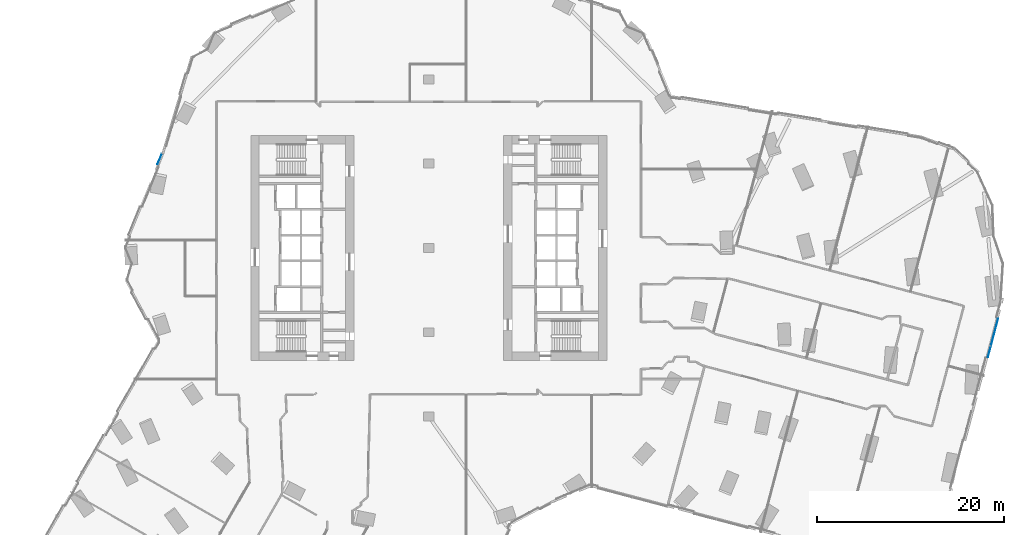
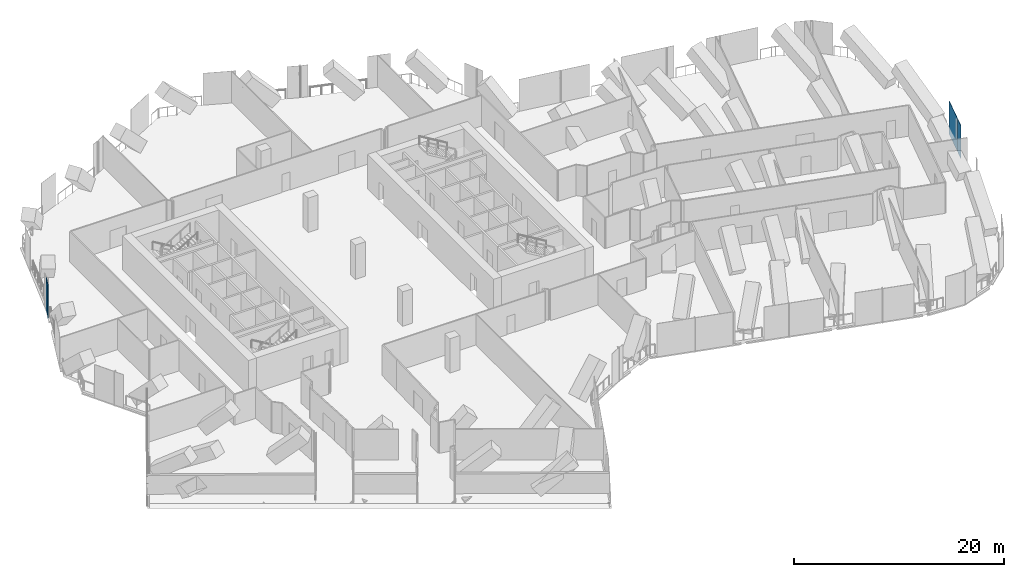
# One storey, part 23 of 37: 3 plates, 2 elements without a shape of their own.
"""IFC4 building model written with IfcOpenShell, lengths in metres."""

from ifc_helpers import new_model, si_unit, direction, frame, origin, origin_2d, place, context, subcontext, project, spatial, rectangle, extrude, material, layer, layer_set, type_object, element, aggregate, save


model = new_model("IFC4")

# Units and contexts
model_context = context("Model", 3, precision=1e-05, world=origin(), true_north=direction((0.0, 1.0)))
body_context = subcontext(model_context, "Body", "Model", "MODEL_VIEW")
ifc_project = project(units=[si_unit("LENGTHUNIT", "METRE"), si_unit("AREAUNIT", "SQUARE_METRE"), si_unit("VOLUMEUNIT", "CUBIC_METRE"), si_unit("PLANEANGLEUNIT", "RADIAN"), si_unit("MASSUNIT", "GRAM", prefix="KILO")], contexts=[model_context])

# Site, building, storey
site_placement = place(None, origin())
site = spatial("IfcSite", under=ifc_project, at=site_placement, CompositionType="ELEMENT")
building_placement = place(site_placement, origin())
building = spatial("IfcBuilding", under=site, at=building_placement, Name="Orlundy Tower", CompositionType="ELEMENT")
storey_placement = place(building_placement, frame((0.0, 0.0, 119.699951171875)))
storey = spatial("IfcBuildingStorey", under=building, at=storey_placement, Name="L30", CompositionType="ELEMENT", Elevation=119.699951171875)

# Curtain wall, plate
ifc_material_1 = material(Name="Aluminium bronze anodised", Category="aluminium")
curtain_wall_type = type_object("IfcCurtainWallType", Name="CW5 wall", PredefinedType="NOTDEFINED", material=ifc_material_1)
curtain_wall_1_placement = place(storey_placement, origin())
curtain_wall_1 = element("IfcCurtainWall", 1, at=curtain_wall_1_placement, inside=storey, type_object=curtain_wall_type, Name="CW5 run 022", PredefinedType="NOTDEFINED")
ifc_material_2 = material(Name="Tinted glass", Category="glass")
ifc_layer_1 = layer(ifc_material_2, 0.031982421875)
ifc_layer_set_1 = layer_set([ifc_layer_1], Name="CW5 glass panel 32")
plate_type_1 = type_object("IfcPlateType", Name="CW5 glass panel 32", PredefinedType="CURTAIN_PANEL", material=ifc_layer_set_1)
plate_1_placement = place(storey_placement, frame((59.8427734375, -11.076416015625, -0.259765625), z_axis=(0.0, 0.0, 1.0), x_axis=(-0.255990719194, -0.966679239296, 0.0)))
plate_1 = element("IfcPlate", 2, at=plate_1_placement, type_object=plate_type_1, Name="CW5 panel", PredefinedType="CURTAIN_PANEL", context=body_context, shape_type="SweptSolid", body=[
    extrude(rectangle(XDim=1.224365234375, YDim=0.031982421875, at=origin_2d()), origin(), (0.0, 0.0, 1.0), 3.860107421875),
])

curtain_wall_2_placement = place(storey_placement, origin())
curtain_wall_2 = element("IfcCurtainWall", 3, at=curtain_wall_2_placement, inside=storey, type_object=curtain_wall_type, Name="CW5 run 02", PredefinedType="NOTDEFINED")
ifc_material_3 = material(Name="Tinted glass", Category="glass")
ifc_layer_2 = layer(ifc_material_3, 0.031982421875)
ifc_layer_set_2 = layer_set([ifc_layer_2], Name="CW5 vent panel 32")
plate_type_2 = type_object("IfcPlateType", Name="CW5 vent panel 32", PredefinedType="CURTAIN_PANEL", material=ifc_layer_set_2)
plate_2_placement = place(storey_placement, frame((-28.73291015625, 9.492431640625, -0.259765625), z_axis=(0.0, 0.0, 1.0), x_axis=(0.379977498994, 0.924995729859, 0.0)))
plate_2 = element("IfcPlate", 4, at=plate_2_placement, type_object=plate_type_2, Name="CW5 panel", PredefinedType="CURTAIN_PANEL", context=body_context, shape_type="SweptSolid", body=[
    extrude(rectangle(XDim=1.24072265625, YDim=0.031982421875, at=origin_2d()), origin(), (0.0, 0.0, 1.0), 3.860107421875),
])
aggregate(curtain_wall_2, [plate_2])

# Plate
plate_3_placement = place(storey_placement, frame((60.392578125, -9.000244140625, -0.259765625), z_axis=(0.0, 0.0, 1.0), x_axis=(-0.255990719194, -0.966679239296, 0.0)))
plate_3 = element("IfcPlate", 5, at=plate_3_placement, type_object=plate_type_2, Name="CW5 panel", PredefinedType="CURTAIN_PANEL", context=body_context, shape_type="SweptSolid", body=[
    extrude(rectangle(XDim=2.970947265625, YDim=0.031982421875, at=origin_2d()), origin(), (0.0, 0.0, 1.0), 3.860107421875),
])

aggregate(curtain_wall_1, [plate_3, plate_1])

save(model, "model.ifc")
